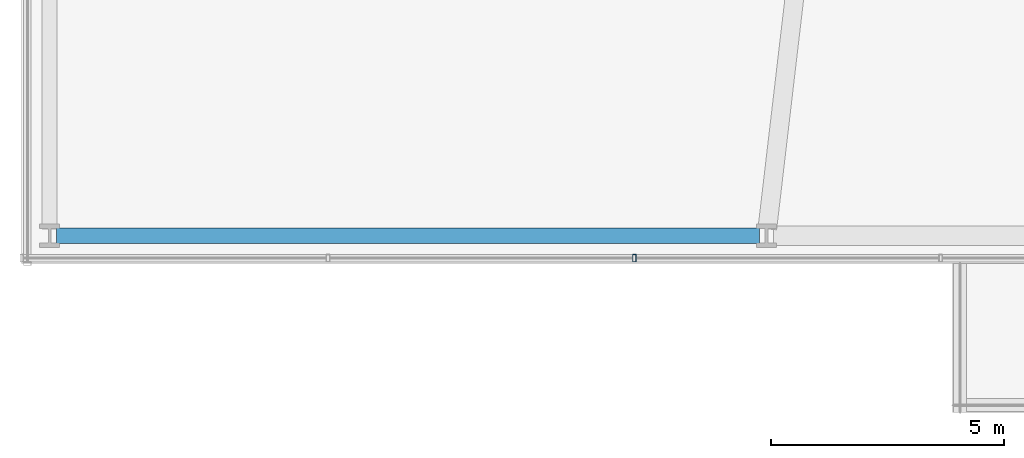
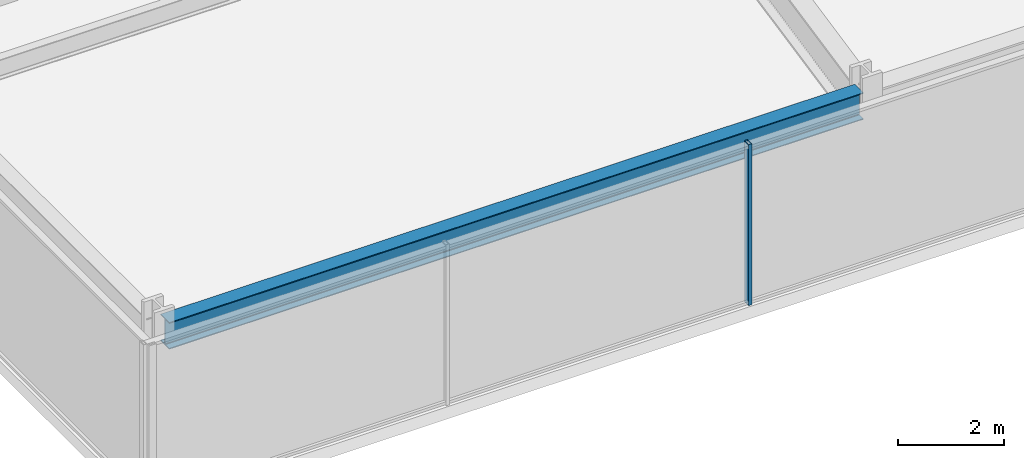
# One storey, part 3 of 39: 1 beam, 1 member, 1 element without a shape of its own.
"""IFC4 building model written with IfcOpenShell, lengths in metres."""

from ifc_helpers import new_model, si_unit, direction, frame, origin, origin_2d, place, context, subcontext, project, spatial, hollow_rectangle, i_section, extrude, material, material_profile, profile_set, type_object, element, aggregate, save


model = new_model("IFC4")

# Units and contexts
model_context = context("Model", 3, precision=1e-05, world=origin(), true_north=direction((0.0, 1.0)))
body_context = subcontext(model_context, "Body", "Model", "MODEL_VIEW")
ifc_project = project(units=[si_unit("LENGTHUNIT", "METRE"), si_unit("AREAUNIT", "SQUARE_METRE"), si_unit("VOLUMEUNIT", "CUBIC_METRE"), si_unit("PLANEANGLEUNIT", "RADIAN"), si_unit("MASSUNIT", "GRAM", prefix="KILO")], contexts=[model_context])

# Site, building, storey
site_placement = place(None, origin())
site = spatial("IfcSite", under=ifc_project, at=site_placement, CompositionType="ELEMENT")
building_placement = place(site_placement, origin())
building = spatial("IfcBuilding", under=site, at=building_placement, Name="Kolvaren Belvedere", CompositionType="ELEMENT")
storey_placement = place(building_placement, frame((0.0, 0.0, 15.199951171875)))
storey = spatial("IfcBuildingStorey", under=building, at=storey_placement, Name="L04", CompositionType="ELEMENT", Elevation=15.199951171875)

# Beam
ifc_material_1 = material(Name="Structural steel ASTM A992 Grade 50", Category="steel")
ifc_material_profile_1 = material_profile(ifc_material_1, i_section(OverallWidth=0.324951171875, OverallDepth=0.615966796875, WebThickness=0.013916015625, FlangeThickness=0.021484375, FilletRadius=0.02001953125, at=origin_2d()), Name="W24X117")
ifc_profile_set_1 = profile_set([ifc_material_profile_1], Name="Structural steel ASTM A992 Grade 50")
beam_type = type_object("IfcBeamType", Name="BM-SPAN-W24X117", PredefinedType="SPANDREL", material=ifc_profile_set_1)
beam_placement = place(storey_placement, frame((-27.25, -27.800048828125, 3.39208984375), z_axis=(1.0, 0.0, 0.0), x_axis=(0.0, 1.0, 0.0)))
element("IfcBeam", 1, at=beam_placement, inside=storey, type_object=beam_type, Name="L04 South Podium Spandrel 1", PredefinedType="SPANDREL", context=body_context, shape_type="SweptSolid", body=[
    extrude(i_section(OverallWidth=0.324951171875, OverallDepth=0.615966796875, WebThickness=0.013916015625, FlangeThickness=0.021484375, FilletRadius=0.02001953125, at=origin_2d()), origin(), (0.0, 0.0, 1.0), 15.10009765625),
])

# Curtain wall, member
ifc_material_2 = material(Name="Anodised pale-metal aluminium AA 6063-T6", Category="aluminium")
curtain_wall_type = type_object("IfcCurtainWallType", Name="CW-POD-A", PredefinedType="NOTDEFINED", material=ifc_material_2)
curtain_wall_placement = place(storey_placement, origin())
curtain_wall = element("IfcCurtainWall", 2, at=curtain_wall_placement, inside=storey, type_object=curtain_wall_type, Name="L04 Unitised Curtain Wall FCW-L04-S2", PredefinedType="NOTDEFINED")
ifc_material_3 = material(Name="Anodised pale-metal aluminium AA 6063-T6", Category="aluminium")
ifc_material_profile_2 = material_profile(ifc_material_3, hollow_rectangle(XDim=0.074951171875, YDim=0.159912109375, WallThickness=0.00439453125, at=origin_2d()), Name="ALU-MUL-160X75")
ifc_profile_set_2 = profile_set([ifc_material_profile_2], Name="Anodised pale-metal aluminium AA 6063-T6")
member_type = type_object("IfcMemberType", Name="CW-MUL-160", PredefinedType="MULLION", material=ifc_profile_set_2)
member_placement = place(storey_placement, frame((-14.840087890625, -28.280029296875, 0.0), z_axis=(0.0, 0.0, 1.0), x_axis=(1.0, 0.0, 0.0)))
member = element("IfcMember", 3, at=member_placement, type_object=member_type, Name="FCW-L04-S2 Unitised Mullion 3", PredefinedType="MULLION", context=body_context, shape_type="SweptSolid", body=[
    extrude(hollow_rectangle(XDim=0.074951171875, YDim=0.159912109375, WallThickness=0.00439453125, at=origin_2d()), origin(), (0.0, 0.0, 1.0), 3.699951171875),
])
aggregate(curtain_wall, [member])

save(model, "model.ifc")
